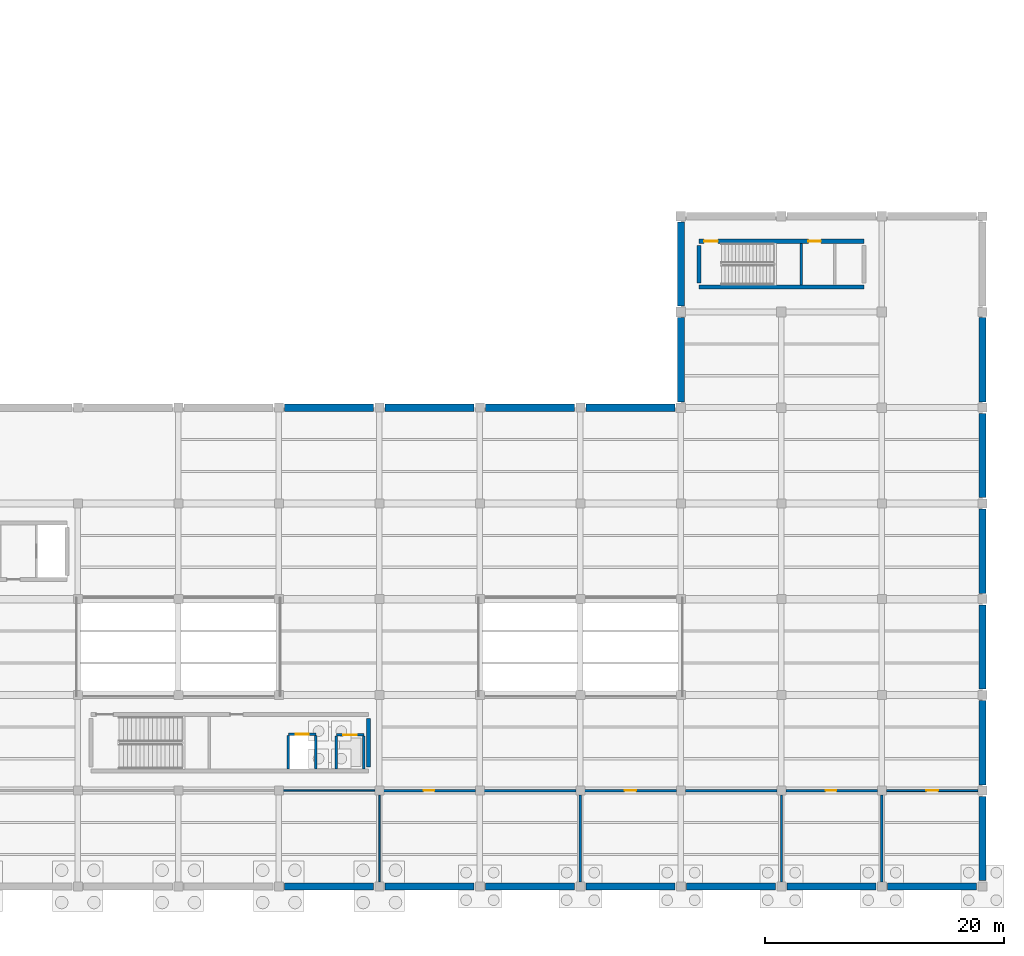
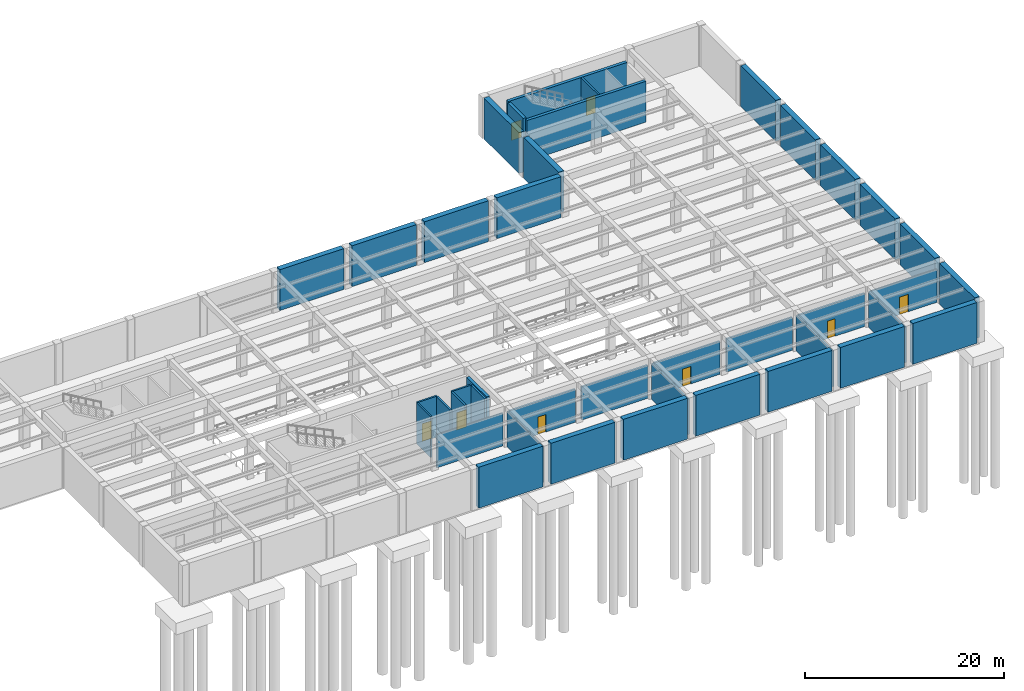
# One storey, part 7 of 16: 41 walls, 8 doors, 8 openings.
"""IFC4 building model written with IfcOpenShell, lengths in metres."""

from ifc_helpers import new_model, si_unit, direction, frame, frame_2d, origin, place, context, subcontext, project, spatial, rectangle, extrude, material, layer, layer_set, type_object, element, fill, save


model = new_model("IFC4")

# Units and contexts
model_context = context("Model", 3, precision=1e-05, world=origin(), true_north=direction((0.0, 1.0)))
body_context = subcontext(model_context, "Body", "Model", "MODEL_VIEW")
ifc_project = project(units=[si_unit("LENGTHUNIT", "METRE"), si_unit("AREAUNIT", "SQUARE_METRE"), si_unit("VOLUMEUNIT", "CUBIC_METRE"), si_unit("PLANEANGLEUNIT", "RADIAN"), si_unit("MASSUNIT", "GRAM", prefix="KILO")], contexts=[model_context])

# Site, building, storey
site_placement = place(None, origin())
site = spatial("IfcSite", under=ifc_project, at=site_placement, CompositionType="ELEMENT")
building_placement = place(site_placement, origin())
building = spatial("IfcBuilding", under=site, at=building_placement, Name="Kranzveld Transit Interchange", CompositionType="ELEMENT")
storey_placement = place(building_placement, frame((0.0, 0.0, -5.43994140625)))
storey = spatial("IfcBuildingStorey", under=building, at=storey_placement, Name="B1", CompositionType="ELEMENT", Elevation=-5.43994140625)

# Wall
ifc_material_1 = material(Name="Concrete C40/50", Category="concrete")
ifc_layer_1 = layer(ifc_material_1, 0.35009765625)
ifc_layer_set_1 = layer_set([ifc_layer_1], Name="Concrete C40/50")
wall_type_1 = type_object("IfcWallType", Name="Core Shear Wall RC 350 C40/50", PredefinedType="SHEAR", material=ifc_layer_set_1)
wall_1_placement = place(storey_placement, frame((102.300048828125, 74.090087890625, 0.0), z_axis=(0.0, 0.0, 1.0), x_axis=(1.0, 0.0, 0.0)))
element("IfcWall", 1, at=wall_1_placement, inside=storey, type_object=wall_type_1, Name="B1 Community Core C3 Shear Wall S", PredefinedType="SHEAR", context=body_context, shape_type="SweptSolid", body=[
    extrude(rectangle(XDim=13.800048828125, YDim=0.35009765625, at=frame_2d((6.89990234375, 0.0))), origin(), (0.0, 0.0, 1.0), 5.02001953125),
])

# Wall, openings, doors
wall_2_placement = place(storey_placement, frame((102.300048828125, 77.909912109375, 0.0), z_axis=(0.0, 0.0, 1.0), x_axis=(1.0, 0.0, 0.0)))
wall_2 = element("IfcWall", 2, at=wall_2_placement, inside=storey, type_object=wall_type_1, Name="B1 Community Core C3 Shear Wall N", PredefinedType="SHEAR", context=body_context, shape_type="SweptSolid", body=[
    extrude(rectangle(XDim=13.800048828125, YDim=0.35009765625, at=frame_2d((6.89990234375, 0.0))), origin(), (0.0, 0.0, 1.0), 5.02001953125),
])
opening_1_placement = place(wall_2_placement, frame((0.449951171875, 0.0, 0.0), z_axis=(0.0, 0.0, 1.0), x_axis=(1.0, 0.0, 0.0)))
opening_1 = element("IfcOpeningElement", 3, at=opening_1_placement, cuts=wall_2, Name="Opening D-ST-C3-B1", PredefinedType="OPENING", context=body_context, shape_type="SweptSolid", body=[
    extrude(rectangle(XDim=1.14990234375, YDim=2.14990234375, at=frame_2d((0.574951171875, 1.074951171875))), frame((0.0, 0.18505859375, 0.0), z_axis=(0.0, -1.0, 0.0), x_axis=(1.0, 0.0, 0.0)), (0.0, 0.0, 1.0), 0.3701171875),
])
opening_2_placement = place(wall_2_placement, frame((9.14990234375, 0.0, 0.0), z_axis=(0.0, 0.0, 1.0), x_axis=(1.0, 0.0, 0.0)))
opening_2 = element("IfcOpeningElement", 4, at=opening_2_placement, cuts=wall_2, Name="Opening D-LB-C3-B1", PredefinedType="OPENING", context=body_context, shape_type="SweptSolid", body=[
    extrude(rectangle(XDim=1.050048828125, YDim=2.14990234375, at=frame_2d((0.52490234375, 1.074951171875))), frame((0.0, 0.18505859375, 0.0), z_axis=(0.0, -1.0, 0.0), x_axis=(1.0, 0.0, 0.0)), (0.0, 0.0, 1.0), 0.3701171875),
])
ifc_material_2 = material(Name="Steel S355JR", Category="steel")
door_type_1 = type_object("IfcDoorType", Name="Lift Lobby Fire Door 1050x2150 FD120S", OperationType="NOTDEFINED", PredefinedType="DOOR", material=ifc_material_2)
door_1_placement = place(opening_2_placement, origin())
door_1 = element("IfcDoor", 5, at=door_1_placement, inside=storey, type_object=door_type_1, Name="B1 Community Core C3 Lift Protected Lobby Door", OperationType="SINGLE_SWING_RIGHT", OverallHeight=2.14990234375, OverallWidth=1.050048828125, PredefinedType="DOOR", context=body_context, shape_type="SweptSolid", body=[
    extrude(rectangle(XDim=1.050048828125, YDim=2.14990234375, at=frame_2d((0.52490234375, 1.074951171875))), frame((0.0, 0.02490234375, 0.0), z_axis=(0.0, -1.0, 0.0), x_axis=(1.0, 0.0, 0.0)), (0.0, 0.0, 1.0), 0.050048828125),
])
fill(opening_2, door_1)
ifc_material_3 = material(Name="Steel S355JR", Category="steel")
door_type_2 = type_object("IfcDoorType", Name="Stair Core Fire Door 1150x2150 FD120S", OperationType="NOTDEFINED", PredefinedType="DOOR", material=ifc_material_3)
door_2_placement = place(opening_1_placement, origin())
door_2 = element("IfcDoor", 6, at=door_2_placement, inside=storey, type_object=door_type_2, Name="B1 ST-V4A Protected Stair Door", OperationType="SINGLE_SWING_RIGHT", OverallHeight=2.14990234375, OverallWidth=1.14990234375, PredefinedType="DOOR", context=body_context, shape_type="SweptSolid", body=[
    extrude(rectangle(XDim=1.14990234375, YDim=2.14990234375, at=frame_2d((0.574951171875, 1.074951171875))), frame((0.0, 0.02490234375, 0.0), z_axis=(0.0, -1.0, 0.0), x_axis=(1.0, 0.0, 0.0)), (0.0, 0.0, 1.0), 0.050048828125),
])
fill(opening_1, door_2)

# Walls
wall_3_placement = place(storey_placement, frame((102.300048828125, 74.43994140625, 0.0), z_axis=(0.0, 0.0, 1.0), x_axis=(0.0, 1.0, 0.0)))
element("IfcWall", 7, at=wall_3_placement, inside=storey, type_object=wall_type_1, Name="B1 Community Core C3 Shear Wall W", PredefinedType="SHEAR", context=body_context, shape_type="SweptSolid", body=[
    extrude(rectangle(XDim=3.1201171875, YDim=0.35009765625, at=frame_2d((1.56005859375, 0.0))), origin(), (0.0, 0.0, 1.0), 5.02001953125),
])
wall_4_placement = place(storey_placement, frame((74.699951171875, 33.989990234375, 0.0), z_axis=(0.0, 0.0, 1.0), x_axis=(0.0, 1.0, 0.0)))
element("IfcWall", 8, at=wall_4_placement, inside=storey, type_object=wall_type_1, Name="B1 Metro East & Bus Mezzanine Core C6 Shear Wall E", PredefinedType="SHEAR", context=body_context, shape_type="SweptSolid", body=[
    extrude(rectangle(XDim=4.02001953125, YDim=0.35009765625, at=frame_2d((2.010009765625, 0.0))), origin(), (0.0, 0.0, 1.0), 5.02001953125),
])

# Wall, opening, door
ifc_material_4 = material(Name="Clay masonry unit wall, 20 MPa", Category="masonry")
ifc_layer_2 = layer(ifc_material_4, 0.14990234375)
ifc_layer_set_2 = layer_set([ifc_layer_2], Name="Clay masonry unit wall, 20 MPa")
wall_type_2 = type_object("IfcWallType", Name="Fire Rated Partition Wall 150 EI60", PredefinedType="PARTITIONING", material=ifc_layer_set_2)
wall_5_placement = place(storey_placement, frame((117.965087890625, 32.0, 0.0), z_axis=(0.0, 0.0, 1.0), x_axis=(1.0, 0.0, 0.0)))
wall_5 = element("IfcWall", 9, at=wall_5_placement, inside=storey, type_object=wall_type_2, Name="B1 Partition IW-B1-B1S-FRT-B110-0", PredefinedType="PARTITIONING", context=body_context, shape_type="SweptSolid", body=[
    extrude(rectangle(XDim=7.669921875, YDim=0.14990234375, at=frame_2d((3.8349609375, 0.0))), origin(), (0.0, 0.0, 1.0), 4.06982421875),
])
opening_3_placement = place(wall_5_placement, frame((4.3349609375, 0.0, 0.0), z_axis=(0.0, 0.0, 1.0), x_axis=(-1.0, 0.0, 0.0)))
opening_3 = element("IfcOpeningElement", 10, at=opening_3_placement, cuts=wall_5, Name="Opening D-B110", PredefinedType="OPENING", context=body_context, shape_type="SweptSolid", body=[
    extrude(rectangle(XDim=1.0, YDim=2.14990234375, at=frame_2d((0.5, 1.074951171875))), frame((0.0, 0.0849609375, 0.0), z_axis=(0.0, -1.0, 0.0), x_axis=(1.0, 0.0, 0.0)), (0.0, 0.0, 1.0), 0.169921875),
])
ifc_material_5 = material(Name="Steel S355JR", Category="steel")
door_type_3 = type_object("IfcDoorType", Name="Fire Door Single 1000x2150 FD60S", OperationType="NOTDEFINED", PredefinedType="DOOR", material=ifc_material_5)
door_3_placement = place(opening_3_placement, origin())
door_3 = element("IfcDoor", 11, at=door_3_placement, inside=storey, type_object=door_type_3, Name="B1 Interior Door D-B110", OperationType="SINGLE_SWING_LEFT", OverallHeight=2.14990234375, OverallWidth=1.0, PredefinedType="DOOR", context=body_context, shape_type="SweptSolid", body=[
    extrude(rectangle(XDim=1.0, YDim=2.14990234375, at=frame_2d((0.5, 1.074951171875))), frame((0.0, 0.02490234375, 0.0), z_axis=(0.0, -1.0, 0.0), x_axis=(1.0, 0.0, 0.0)), (0.0, 0.0, 1.0), 0.050048828125),
])
fill(opening_3, door_3)

# Walls
ifc_material_6 = material(Name="Clay masonry unit wall, 20 MPa", Category="masonry")
ifc_layer_3 = layer(ifc_material_6, 0.125)
ifc_layer_set_3 = layer_set([ifc_layer_3], Name="Clay masonry unit wall, 20 MPa")
wall_type_3 = type_object("IfcWallType", Name="Internal Blockwork Partition 125", PredefinedType="PARTITIONING", material=ifc_layer_set_3)
wall_6_placement = place(storey_placement, frame((67.56494140625, 32.0, 0.0), z_axis=(0.0, 0.0, 1.0), x_axis=(1.0, 0.0, 0.0)))
element("IfcWall", 12, at=wall_6_placement, inside=storey, type_object=wall_type_3, Name="B1 Partition IW-B1-B1S-FRT-B106-4", PredefinedType="PARTITIONING", context=body_context, shape_type="SweptSolid", body=[
    extrude(rectangle(XDim=7.670166015625, YDim=0.125, at=frame_2d((3.8349609375, 0.0))), origin(), (0.0, 0.0, 1.0), 4.06982421875),
])
wall_7_placement = place(storey_placement, frame((75.60009765625, 24.364990234375, 0.0), z_axis=(0.0, 0.0, 1.0), x_axis=(0.0, 1.0, 0.0)))
element("IfcWall", 13, at=wall_7_placement, inside=storey, type_object=wall_type_3, Name="B1 Partition IW-B1-B1S-E-B106-0", PredefinedType="PARTITIONING", context=body_context, shape_type="SweptSolid", body=[
    extrude(rectangle(XDim=7.27001953125, YDim=0.125, at=frame_2d((3.635009765625, 0.0))), origin(), (0.0, 0.0, 1.0), 4.369873046875),
])
ifc_material_7 = material(Name="Concrete C40/50", Category="concrete")
ifc_layer_4 = layer(ifc_material_7, 0.199951171875)
ifc_layer_set_4 = layer_set([ifc_layer_4], Name="Concrete C40/50")
wall_type_4 = type_object("IfcWallType", Name="Lift Shaft Enclosure Wall RC 200 EI120", PredefinedType="SHEAR", material=ifc_layer_set_4)
wall_8_placement = place(storey_placement, frame((110.85009765625, 74.264892578125, 0.0), z_axis=(0.0, 0.0, 1.0), x_axis=(0.0, 1.0, 0.0)))
element("IfcWall", 14, at=wall_8_placement, inside=storey, type_object=wall_type_4, Name="B1 Community Core C3 Stair-Lobby Dividing Wall", PredefinedType="SHEAR", context=body_context, shape_type="SweptSolid", body=[
    extrude(rectangle(XDim=3.47021484375, YDim=0.199951171875, at=frame_2d((1.735107421875, 0.0))), origin(), (0.0, 0.0, 1.0), 5.02001953125),
])

# Wall, opening, door
wall_9_placement = place(storey_placement, frame((68.0, 36.715087890625, 0.0), z_axis=(0.0, 0.0, 1.0), x_axis=(1.0, 0.0, 0.0)))
wall_9 = element("IfcWall", 15, at=wall_9_placement, inside=storey, type_object=wall_type_4, Name="B1 LF-M2 Shaft Front Wall", PredefinedType="SHEAR", context=body_context, shape_type="SweptSolid", body=[
    extrude(rectangle(XDim=2.300048828125, YDim=0.199951171875, at=frame_2d((1.14990234375, 0.0))), origin(), (0.0, 0.0, 1.0), 5.02001953125),
])
opening_4_placement = place(wall_9_placement, frame((0.60009765625, 0.0, 0.0), z_axis=(0.0, 0.0, 1.0), x_axis=(1.0, 0.0, 0.0)))
opening_4 = element("IfcOpeningElement", 16, at=opening_4_placement, cuts=wall_9, Name="Opening LD-LF-M2-B1", PredefinedType="OPENING", context=body_context, shape_type="SweptSolid", body=[
    extrude(rectangle(XDim=1.10009765625, YDim=2.14990234375, at=frame_2d((0.550048828125, 1.074951171875))), frame((0.0, 0.10986328125, 0.0), z_axis=(0.0, -1.0, 0.0), x_axis=(1.0, 0.0, 0.0)), (0.0, 0.0, 1.0), 0.219970703125),
])
ifc_material_8 = material(Name="Steel S355JR", Category="steel")
door_type_4 = type_object("IfcDoorType", Name="Lift Landing Sliding Door 1100x2150 FD120S", OperationType="NOTDEFINED", PredefinedType="DOOR", material=ifc_material_8)
door_4_placement = place(opening_4_placement, origin())
door_4 = element("IfcDoor", 17, at=door_4_placement, inside=storey, type_object=door_type_4, Name="B1 LF-M2 Sliding Landing Door", OperationType="DOUBLE_DOOR_SLIDING", OverallHeight=2.14990234375, OverallWidth=1.10009765625, PredefinedType="DOOR", context=body_context, shape_type="SweptSolid", body=[
    extrude(rectangle(XDim=1.10009765625, YDim=2.14990234375, at=frame_2d((0.550048828125, 1.074951171875))), frame((0.0, 0.02490234375, 0.0), z_axis=(0.0, -1.0, 0.0), x_axis=(1.0, 0.0, 0.0)), (0.0, 0.0, 1.0), 0.050048828125),
])
fill(opening_4, door_4)

# Walls
for number, where, z_axis, x_axis, name in (
    (18, (68.0, 33.81494140625, 0.0), (0.0, 0.0, 1.0), (0.0, 1.0, 0.0), "B1 LF-M2 Shaft Side Wall W"),
    (19, (70.300048828125, 33.81494140625, 0.0), (0.0, 0.0, 1.0), (0.0, 1.0, 0.0), "B1 LF-M2 Shaft Side Wall E"),
):
    element("IfcWall", number, at=place(storey_placement, frame(where, z_axis=z_axis, x_axis=x_axis)), inside=storey, type_object=wall_type_4, Name=name, PredefinedType="SHEAR", context=body_context, shape_type="SweptSolid", body=[
        extrude(rectangle(XDim=2.800048828125, YDim=0.199951171875, at=frame_2d((1.39990234375, 0.0))), origin(), (0.0, 0.0, 1.0), 5.02001953125),
    ])

# Wall, opening, door
wall_10_placement = place(storey_placement, frame((72.0, 36.6650390625, 0.0), z_axis=(0.0, 0.0, 1.0), x_axis=(1.0, 0.0, 0.0)))
wall_10 = element("IfcWall", 20, at=wall_10_placement, inside=storey, type_object=wall_type_4, Name="B1 LF-B1 Shaft Front Wall", PredefinedType="SHEAR", context=body_context, shape_type="SweptSolid", body=[
    extrude(rectangle(XDim=2.300048828125, YDim=0.199951171875, at=frame_2d((1.14990234375, 0.0))), origin(), (0.0, 0.0, 1.0), 5.02001953125),
])
opening_5_placement = place(wall_10_placement, frame((0.60009765625, 0.0, 0.0), z_axis=(0.0, 0.0, 1.0), x_axis=(1.0, 0.0, 0.0)))
opening_5 = element("IfcOpeningElement", 21, at=opening_5_placement, cuts=wall_10, Name="Opening LD-LF-B1-B1", PredefinedType="OPENING", context=body_context, shape_type="SweptSolid", body=[
    extrude(rectangle(XDim=1.10009765625, YDim=2.14990234375, at=frame_2d((0.550048828125, 1.074951171875))), frame((0.0, 0.10986328125, 0.0), z_axis=(0.0, -1.0, 0.0), x_axis=(1.0, 0.0, 0.0)), (0.0, 0.0, 1.0), 0.219970703125),
])
door_5_placement = place(opening_5_placement, origin())
door_5 = element("IfcDoor", 22, at=door_5_placement, inside=storey, type_object=door_type_4, Name="B1 LF-B1 Sliding Landing Door", OperationType="DOUBLE_DOOR_SLIDING", OverallHeight=2.14990234375, OverallWidth=1.10009765625, PredefinedType="DOOR", context=body_context, shape_type="SweptSolid", body=[
    extrude(rectangle(XDim=1.10009765625, YDim=2.14990234375, at=frame_2d((0.550048828125, 1.074951171875))), frame((0.0, 0.02490234375, 0.0), z_axis=(0.0, -1.0, 0.0), x_axis=(1.0, 0.0, 0.0)), (0.0, 0.0, 1.0), 0.050048828125),
])
fill(opening_5, door_5)

# Walls
for number, where, z_axis, x_axis, name in (
    (23, (72.0, 33.81494140625, 0.0), (0.0, 0.0, 1.0), (0.0, 1.0, 0.0), "B1 LF-B1 Shaft Side Wall W"),
    (24, (74.300048828125, 33.81494140625, 0.0), (0.0, 0.0, 1.0), (0.0, 1.0, 0.0), "B1 LF-B1 Shaft Side Wall E"),
):
    element("IfcWall", number, at=place(storey_placement, frame(where, z_axis=z_axis, x_axis=x_axis)), inside=storey, type_object=wall_type_4, Name=name, PredefinedType="SHEAR", context=body_context, shape_type="SweptSolid", body=[
        extrude(rectangle(XDim=2.75, YDim=0.199951171875, at=frame_2d((1.375, 0.0))), origin(), (0.0, 0.0, 1.0), 5.02001953125),
    ])
ifc_material_9 = material(Name="Concrete C40/50", Category="concrete")
ifc_layer_5 = layer(ifc_material_9, 0.60009765625)
ifc_layer_set_5 = layer_set([ifc_layer_5], Name="Concrete C40/50")
wall_type_5 = type_object("IfcWallType", Name="Retaining Wall RC 600 C40/50", PredefinedType="SOLIDWALL", material=ifc_layer_set_5)
wall_11_placement = place(storey_placement, frame((67.679931640625, 24.0, 0.0), z_axis=(0.0, 0.0, 1.0), x_axis=(1.0, 0.0, 0.0)))
element("IfcWall", 25, at=wall_11_placement, inside=storey, type_object=wall_type_5, Name="B1 Perimeter Retaining Wall 5", PredefinedType="SOLIDWALL", context=body_context, shape_type="SweptSolid", body=[
    extrude(rectangle(XDim=7.440185546875, YDim=0.60009765625, at=frame_2d((3.72021484375, 0.0))), origin(), (0.0, 0.0, 1.0), 5.02001953125),
])
for number, where, z_axis, x_axis, name in (
    (26, (76.080078125, 24.0, 0.0), (0.0, 0.0, 1.0), (1.0, 0.0, 0.0), "B1 Perimeter Retaining Wall 6"),
    (27, (84.47998046875, 24.0, 0.0), (0.0, 0.0, 1.0), (1.0, 0.0, 0.0), "B1 Perimeter Retaining Wall 7"),
):
    element("IfcWall", number, at=place(storey_placement, frame(where, z_axis=z_axis, x_axis=x_axis)), inside=storey, type_object=wall_type_5, Name=name, PredefinedType="SOLIDWALL", context=body_context, shape_type="SweptSolid", body=[
        extrude(rectangle(XDim=7.43994140625, YDim=0.60009765625, at=frame_2d((3.719970703125, 0.0))), origin(), (0.0, 0.0, 1.0), 5.02001953125),
    ])
wall_12_placement = place(storey_placement, frame((92.8798828125, 24.0, 0.0), z_axis=(0.0, 0.0, 1.0), x_axis=(1.0, 0.0, 0.0)))
element("IfcWall", 28, at=wall_12_placement, inside=storey, type_object=wall_type_5, Name="B1 Perimeter Retaining Wall 8", PredefinedType="SOLIDWALL", context=body_context, shape_type="SweptSolid", body=[
    extrude(rectangle(XDim=7.440185546875, YDim=0.60009765625, at=frame_2d((3.72021484375, 0.0))), origin(), (0.0, 0.0, 1.0), 5.02001953125),
])
wall_13_placement = place(storey_placement, frame((101.280029296875, 24.0, 0.0), z_axis=(0.0, 0.0, 1.0), x_axis=(1.0, 0.0, 0.0)))
element("IfcWall", 29, at=wall_13_placement, inside=storey, type_object=wall_type_5, Name="B1 Perimeter Retaining Wall 9", PredefinedType="SOLIDWALL", context=body_context, shape_type="SweptSolid", body=[
    extrude(rectangle(XDim=7.43994140625, YDim=0.60009765625, at=frame_2d((3.719970703125, 0.0))), origin(), (0.0, 0.0, 1.0), 5.02001953125),
])
wall_14_placement = place(storey_placement, frame((109.679931640625, 24.0, 0.0), z_axis=(0.0, 0.0, 1.0), x_axis=(1.0, 0.0, 0.0)))
element("IfcWall", 30, at=wall_14_placement, inside=storey, type_object=wall_type_5, Name="B1 Perimeter Retaining Wall 10", PredefinedType="SOLIDWALL", context=body_context, shape_type="SweptSolid", body=[
    extrude(rectangle(XDim=7.440185546875, YDim=0.60009765625, at=frame_2d((3.72021484375, 0.0))), origin(), (0.0, 0.0, 1.0), 5.02001953125),
])
wall_15_placement = place(storey_placement, frame((118.080078125, 24.0, 0.0), z_axis=(0.0, 0.0, 1.0), x_axis=(1.0, 0.0, 0.0)))
element("IfcWall", 31, at=wall_15_placement, inside=storey, type_object=wall_type_5, Name="B1 Perimeter Retaining Wall 11", PredefinedType="SOLIDWALL", context=body_context, shape_type="SweptSolid", body=[
    extrude(rectangle(XDim=7.43994140625, YDim=0.60009765625, at=frame_2d((3.719970703125, 0.0))), origin(), (0.0, 0.0, 1.0), 5.02001953125),
])
wall_16_placement = place(storey_placement, frame((67.679931640625, 64.0, 0.0), z_axis=(0.0, 0.0, 1.0), x_axis=(1.0, 0.0, 0.0)))
element("IfcWall", 32, at=wall_16_placement, inside=storey, type_object=wall_type_5, Name="B1 Perimeter Retaining Wall 37", PredefinedType="SOLIDWALL", context=body_context, shape_type="SweptSolid", body=[
    extrude(rectangle(XDim=7.440185546875, YDim=0.60009765625, at=frame_2d((3.72021484375, 0.0))), origin(), (0.0, 0.0, 1.0), 5.02001953125),
])
for number, where, z_axis, x_axis, name in (
    (33, (76.080078125, 64.0, 0.0), (0.0, 0.0, 1.0), (1.0, 0.0, 0.0), "B1 Perimeter Retaining Wall 38"),
    (34, (84.47998046875, 64.0, 0.0), (0.0, 0.0, 1.0), (1.0, 0.0, 0.0), "B1 Perimeter Retaining Wall 39"),
):
    element("IfcWall", number, at=place(storey_placement, frame(where, z_axis=z_axis, x_axis=x_axis)), inside=storey, type_object=wall_type_5, Name=name, PredefinedType="SOLIDWALL", context=body_context, shape_type="SweptSolid", body=[
        extrude(rectangle(XDim=7.43994140625, YDim=0.60009765625, at=frame_2d((3.719970703125, 0.0))), origin(), (0.0, 0.0, 1.0), 5.02001953125),
    ])
wall_17_placement = place(storey_placement, frame((92.8798828125, 64.0, 0.0), z_axis=(0.0, 0.0, 1.0), x_axis=(1.0, 0.0, 0.0)))
element("IfcWall", 35, at=wall_17_placement, inside=storey, type_object=wall_type_5, Name="B1 Perimeter Retaining Wall 40", PredefinedType="SOLIDWALL", context=body_context, shape_type="SweptSolid", body=[
    extrude(rectangle(XDim=7.440185546875, YDim=0.60009765625, at=frame_2d((3.72021484375, 0.0))), origin(), (0.0, 0.0, 1.0), 5.02001953125),
])
for number, where, z_axis, x_axis, name in (
    (36, (100.800048828125, 64.47998046875, 0.0), (0.0, 0.0, 1.0), (0.0, 1.0, 0.0), "B1 Perimeter Retaining Wall 41"),
    (37, (100.800048828125, 72.47998046875, 0.0), (0.0, 0.0, 1.0), (0.0, 1.0, 0.0), "B1 Perimeter Retaining Wall 42"),
    (38, (126.0, 64.47998046875, 0.0), (0.0, 0.0, 1.0), (0.0, 1.0, 0.0), "B1 Perimeter Retaining Wall 46"),
    (39, (126.0, 24.47998046875, 0.0), (0.0, 0.0, 1.0), (0.0, 1.0, 0.0), "B1 Perimeter Retaining Wall 48"),
    (40, (126.0, 32.47998046875, 0.0), (0.0, 0.0, 1.0), (0.0, 1.0, 0.0), "B1 Perimeter Retaining Wall 49"),
    (41, (126.0, 40.47998046875, 0.0), (0.0, 0.0, 1.0), (0.0, 1.0, 0.0), "B1 Perimeter Retaining Wall 50"),
    (42, (126.0, 48.47998046875, 0.0), (0.0, 0.0, 1.0), (0.0, 1.0, 0.0), "B1 Perimeter Retaining Wall 51"),
    (43, (126.0, 56.47998046875, 0.0), (0.0, 0.0, 1.0), (0.0, 1.0, 0.0), "B1 Perimeter Retaining Wall 52"),
):
    element("IfcWall", number, at=place(storey_placement, frame(where, z_axis=z_axis, x_axis=x_axis)), inside=storey, type_object=wall_type_5, Name=name, PredefinedType="SOLIDWALL", context=body_context, shape_type="SweptSolid", body=[
        extrude(rectangle(XDim=7.0400390625, YDim=0.60009765625, at=frame_2d((3.52001953125, 0.0))), origin(), (0.0, 0.0, 1.0), 5.02001953125),
    ])

# Wall, opening, door
ifc_material_10 = material(Name="Clay masonry unit wall, 20 MPa", Category="masonry")
ifc_layer_6 = layer(ifc_material_10, 0.18994140625)
ifc_layer_set_6 = layer_set([ifc_layer_6], Name="Clay masonry unit wall, 20 MPa")
wall_type_6 = type_object("IfcWallType", Name="Sanitary Plumbing Wall 190", PredefinedType="PLUMBINGWALL", material=ifc_layer_set_6)
wall_18_placement = place(storey_placement, frame((92.764892578125, 32.0, 0.0), z_axis=(0.0, 0.0, 1.0), x_axis=(1.0, 0.0, 0.0)))
wall_18 = element("IfcWall", 44, at=wall_18_placement, inside=storey, type_object=wall_type_6, Name="B1 Partition IW-B1-B1S-FRT-B108-0", PredefinedType="PLUMBINGWALL", context=body_context, shape_type="SweptSolid", body=[
    extrude(rectangle(XDim=7.670166015625, YDim=0.18994140625, at=frame_2d((3.8349609375, 0.0))), origin(), (0.0, 0.0, 1.0), 4.06982421875),
])
opening_6_placement = place(wall_18_placement, frame((4.284912109375, 0.0, 0.0), z_axis=(0.0, 0.0, 1.0), x_axis=(-1.0, 0.0, 0.0)))
opening_6 = element("IfcOpeningElement", 45, at=opening_6_placement, cuts=wall_18, Name="Opening D-B108", PredefinedType="OPENING", context=body_context, shape_type="SweptSolid", body=[
    extrude(rectangle(XDim=0.949951171875, YDim=2.14990234375, at=frame_2d((0.47509765625, 1.074951171875))), frame((0.0, 0.10498046875, 0.0), z_axis=(0.0, -1.0, 0.0), x_axis=(1.0, 0.0, 0.0)), (0.0, 0.0, 1.0), 0.2099609375),
])
ifc_material_11 = material(Name="Bronze-anodised thermally broken aluminium", Category="aluminium")
door_type_5 = type_object("IfcDoorType", Name="Accessible WC Door 950x2150", OperationType="NOTDEFINED", PredefinedType="DOOR", material=ifc_material_11)
door_6_placement = place(opening_6_placement, origin())
door_6 = element("IfcDoor", 46, at=door_6_placement, inside=storey, type_object=door_type_5, Name="B1 Interior Door D-B108", OperationType="SINGLE_SWING_LEFT", OverallHeight=2.14990234375, OverallWidth=0.949951171875, PredefinedType="DOOR", context=body_context, shape_type="SweptSolid", body=[
    extrude(rectangle(XDim=0.949951171875, YDim=2.14990234375, at=frame_2d((0.47509765625, 1.074951171875))), frame((0.0, 0.02490234375, 0.0), z_axis=(0.0, -1.0, 0.0), x_axis=(1.0, 0.0, 0.0)), (0.0, 0.0, 1.0), 0.050048828125),
])
fill(opening_6, door_6)

# Walls
wall_19_placement = place(storey_placement, frame((101.1650390625, 32.0, 0.0), z_axis=(0.0, 0.0, 1.0), x_axis=(1.0, 0.0, 0.0)))
element("IfcWall", 47, at=wall_19_placement, inside=storey, type_object=wall_type_6, Name="B1 Partition IW-B1-B1S-FRT-B108-1", PredefinedType="PLUMBINGWALL", context=body_context, shape_type="SweptSolid", body=[
    extrude(rectangle(XDim=7.669921875, YDim=0.18994140625, at=frame_2d((3.8349609375, 0.0))), origin(), (0.0, 0.0, 1.0), 4.06982421875),
])
wall_20_placement = place(storey_placement, frame((109.199951171875, 24.364990234375, 0.0), z_axis=(0.0, 0.0, 1.0), x_axis=(0.0, 1.0, 0.0)))
element("IfcWall", 48, at=wall_20_placement, inside=storey, type_object=wall_type_6, Name="B1 Partition IW-B1-B1S-E-B108-0", PredefinedType="PLUMBINGWALL", context=body_context, shape_type="SweptSolid", body=[
    extrude(rectangle(XDim=7.27001953125, YDim=0.18994140625, at=frame_2d((3.635009765625, 0.0))), origin(), (0.0, 0.0, 1.0), 4.369873046875),
])

# Wall, opening, door
ifc_material_12 = material(Name="Clay masonry unit wall, 20 MPa", Category="masonry")
ifc_layer_7 = layer(ifc_material_12, 0.2099609375)
ifc_layer_set_7 = layer_set([ifc_layer_7], Name="Clay masonry unit wall, 20 MPa")
wall_type_7 = type_object("IfcWallType", Name="Service Duct Plumbing Wall 210", PredefinedType="PLUMBINGWALL", material=ifc_layer_set_7)
wall_21_placement = place(storey_placement, frame((75.965087890625, 32.0, 0.0), z_axis=(0.0, 0.0, 1.0), x_axis=(1.0, 0.0, 0.0)))
wall_21 = element("IfcWall", 49, at=wall_21_placement, inside=storey, type_object=wall_type_7, Name="B1 Partition IW-B1-B1S-FRT-B107-0", PredefinedType="PLUMBINGWALL", context=body_context, shape_type="SweptSolid", body=[
    extrude(rectangle(XDim=7.669921875, YDim=0.2099609375, at=frame_2d((3.8349609375, 0.0))), origin(), (0.0, 0.0, 1.0), 4.06982421875),
])
opening_7_placement = place(wall_21_placement, frame((4.23486328125, 0.0, 0.0), z_axis=(0.0, 0.0, 1.0), x_axis=(-1.0, 0.0, 0.0)))
opening_7 = element("IfcOpeningElement", 50, at=opening_7_placement, cuts=wall_21, Name="Opening D-B107", PredefinedType="OPENING", context=body_context, shape_type="SweptSolid", body=[
    extrude(rectangle(XDim=0.89990234375, YDim=2.14990234375, at=frame_2d((0.449951171875, 1.074951171875))), frame((0.0, 0.114990234375, 0.0), z_axis=(0.0, -1.0, 0.0), x_axis=(1.0, 0.0, 0.0)), (0.0, 0.0, 1.0), 0.22998046875),
])
ifc_material_13 = material(Name="Steel S355JR", Category="steel")
door_type_6 = type_object("IfcDoorType", Name="Sanitary Cubicle Lobby Door 900x2150", OperationType="NOTDEFINED", PredefinedType="DOOR", material=ifc_material_13)
door_7_placement = place(opening_7_placement, origin())
door_7 = element("IfcDoor", 51, at=door_7_placement, inside=storey, type_object=door_type_6, Name="B1 Interior Door D-B107", OperationType="SINGLE_SWING_RIGHT", OverallHeight=2.14990234375, OverallWidth=0.89990234375, PredefinedType="DOOR", context=body_context, shape_type="SweptSolid", body=[
    extrude(rectangle(XDim=0.89990234375, YDim=2.14990234375, at=frame_2d((0.449951171875, 1.074951171875))), frame((0.0, 0.02490234375, 0.0), z_axis=(0.0, -1.0, 0.0), x_axis=(1.0, 0.0, 0.0)), (0.0, 0.0, 1.0), 0.050048828125),
])
fill(opening_7, door_7)

wall_22_placement = place(storey_placement, frame((109.56494140625, 32.0, 0.0), z_axis=(0.0, 0.0, 1.0), x_axis=(1.0, 0.0, 0.0)))
wall_22 = element("IfcWall", 52, at=wall_22_placement, inside=storey, type_object=wall_type_7, Name="B1 Partition IW-B1-B1S-FRT-B109-0", PredefinedType="PLUMBINGWALL", context=body_context, shape_type="SweptSolid", body=[
    extrude(rectangle(XDim=7.670166015625, YDim=0.2099609375, at=frame_2d((3.8349609375, 0.0))), origin(), (0.0, 0.0, 1.0), 4.06982421875),
])
opening_8_placement = place(wall_22_placement, frame((4.23486328125, 0.0, 0.0), z_axis=(0.0, 0.0, 1.0), x_axis=(-1.0, 0.0, 0.0)))
opening_8 = element("IfcOpeningElement", 53, at=opening_8_placement, cuts=wall_22, Name="Opening D-B109", PredefinedType="OPENING", context=body_context, shape_type="SweptSolid", body=[
    extrude(rectangle(XDim=0.89990234375, YDim=2.14990234375, at=frame_2d((0.449951171875, 1.074951171875))), frame((0.0, 0.114990234375, 0.0), z_axis=(0.0, -1.0, 0.0), x_axis=(1.0, 0.0, 0.0)), (0.0, 0.0, 1.0), 0.22998046875),
])
door_8_placement = place(opening_8_placement, origin())
door_8 = element("IfcDoor", 54, at=door_8_placement, inside=storey, type_object=door_type_6, Name="B1 Interior Door D-B109", OperationType="SINGLE_SWING_RIGHT", OverallHeight=2.14990234375, OverallWidth=0.89990234375, PredefinedType="DOOR", context=body_context, shape_type="SweptSolid", body=[
    extrude(rectangle(XDim=0.89990234375, YDim=2.14990234375, at=frame_2d((0.449951171875, 1.074951171875))), frame((0.0, 0.02490234375, 0.0), z_axis=(0.0, -1.0, 0.0), x_axis=(1.0, 0.0, 0.0)), (0.0, 0.0, 1.0), 0.050048828125),
])
fill(opening_8, door_8)

# Walls
wall_23_placement = place(storey_placement, frame((84.364990234375, 32.0, 0.0), z_axis=(0.0, 0.0, 1.0), x_axis=(1.0, 0.0, 0.0)))
element("IfcWall", 55, at=wall_23_placement, inside=storey, type_object=wall_type_7, Name="B1 Partition IW-B1-B1S-FRT-B107-1", PredefinedType="PLUMBINGWALL", context=body_context, shape_type="SweptSolid", body=[
    extrude(rectangle(XDim=7.669921875, YDim=0.2099609375, at=frame_2d((3.8349609375, 0.0))), origin(), (0.0, 0.0, 1.0), 4.06982421875),
])
for number, where, z_axis, x_axis, name in (
    (56, (92.39990234375, 24.364990234375, 0.0), (0.0, 0.0, 1.0), (0.0, 1.0, 0.0), "B1 Partition IW-B1-B1S-E-B107-0"),
    (57, (117.60009765625, 24.364990234375, 0.0), (0.0, 0.0, 1.0), (0.0, 1.0, 0.0), "B1 Partition IW-B1-B1S-E-B109-0"),
):
    element("IfcWall", number, at=place(storey_placement, frame(where, z_axis=z_axis, x_axis=x_axis)), inside=storey, type_object=wall_type_7, Name=name, PredefinedType="PLUMBINGWALL", context=body_context, shape_type="SweptSolid", body=[
        extrude(rectangle(XDim=7.27001953125, YDim=0.2099609375, at=frame_2d((3.635009765625, 0.0))), origin(), (0.0, 0.0, 1.0), 4.369873046875),
    ])

save(model, "model.ifc")
